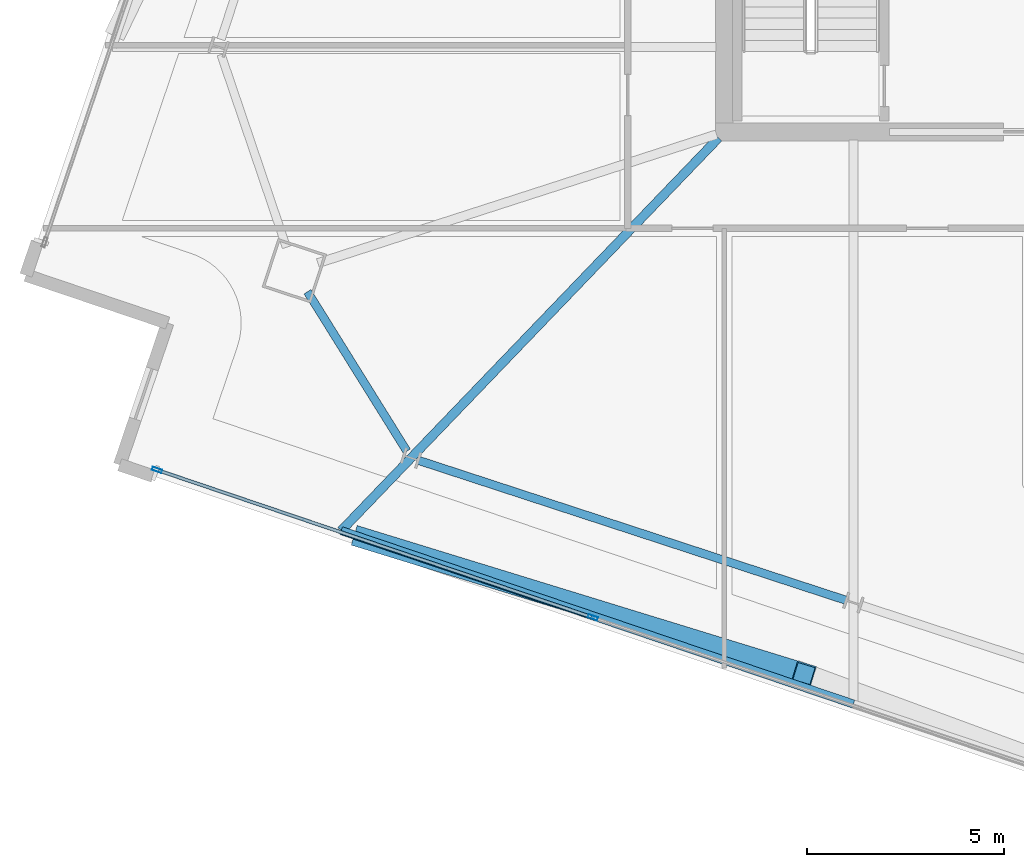
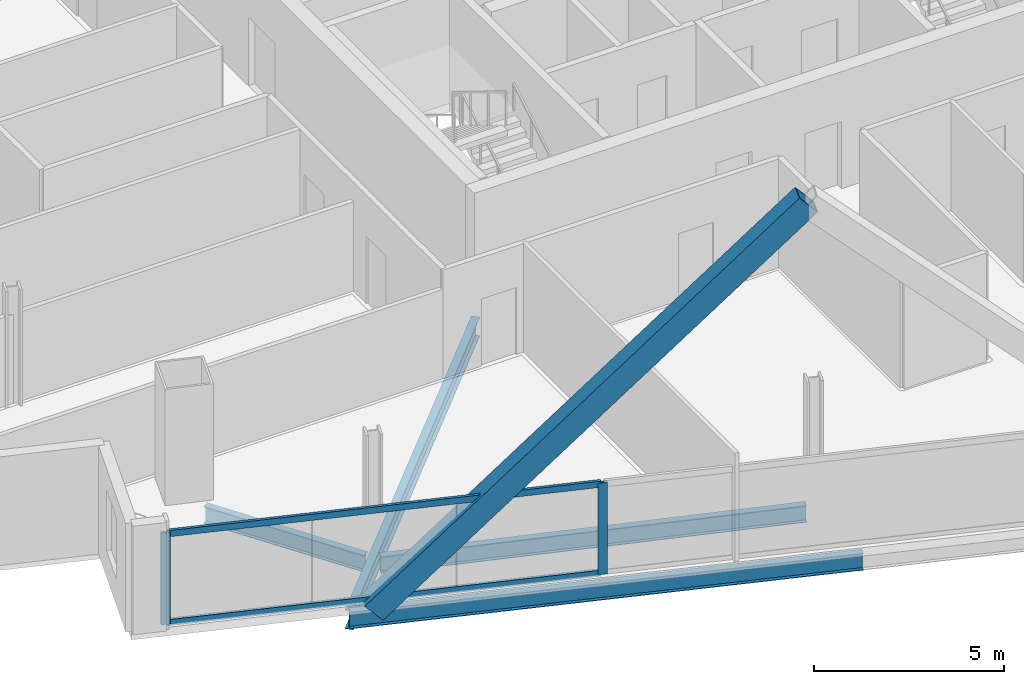
# One storey, part 2 of 29: 5 members, 4 beams, 1 element without a shape of its own.
"""IFC4 building model written with IfcOpenShell, lengths in metres."""

from ifc_helpers import new_model, si_unit, direction, frame, origin, origin_2d, place, context, subcontext, project, spatial, hollow_rectangle, i_section, extrude, material, material_profile, profile_set, type_object, element, aggregate, save


model = new_model("IFC4")

# Units and contexts
model_context = context("Model", 3, precision=1e-05, world=origin(), true_north=direction((0.0, 1.0)))
body_context = subcontext(model_context, "Body", "Model", "MODEL_VIEW")
ifc_project = project(units=[si_unit("LENGTHUNIT", "METRE"), si_unit("AREAUNIT", "SQUARE_METRE"), si_unit("VOLUMEUNIT", "CUBIC_METRE"), si_unit("PLANEANGLEUNIT", "RADIAN"), si_unit("MASSUNIT", "GRAM", prefix="KILO")], contexts=[model_context])

# Site, building, storey
site_placement = place(None, origin())
site = spatial("IfcSite", under=ifc_project, at=site_placement, CompositionType="ELEMENT")
building_placement = place(site_placement, origin())
building = spatial("IfcBuilding", under=site, at=building_placement, Name="Haldenkirk Collegiate Tower", CompositionType="ELEMENT")
storey_placement = place(building_placement, frame((0.0, 0.0, 267.449951171875)))
storey = spatial("IfcBuildingStorey", under=building, at=storey_placement, Name="L67", CompositionType="ELEMENT", Elevation=267.449951171875)

# Beams
ifc_material_1 = material(Name="Steel ASTM A992 Grade 50", Category="steel")
ifc_material_profile_1 = material_profile(ifc_material_1, i_section(OverallWidth=0.22998046875, OverallDepth=0.616943359375, WebThickness=0.01318359375, FlangeThickness=0.022216796875, at=origin_2d()), Name="W24X94")
ifc_profile_set_1 = profile_set([ifc_material_profile_1], Name="Steel ASTM A992 Grade 50")
beam_type_1 = type_object("IfcBeamType", Name="BM-GIRDER-W24X94", PredefinedType="BEAM", material=ifc_profile_set_1)
beam_1_placement = place(storey_placement, frame((17.267822265625, 7.86865234375, -0.578369140625), z_axis=(0.692749490113, 0.721178302466, 0.0), x_axis=(-0.721178302466, 0.692749490113, 0.0)))
element("IfcBeam", 1, at=beam_1_placement, inside=storey, type_object=beam_type_1, Name="L67 primary floor girder 14", PredefinedType="BEAM", context=body_context, shape_type="SweptSolid", body=[
    extrude(i_section(OverallWidth=0.22998046875, OverallDepth=0.616943359375, WebThickness=0.01318359375, FlangeThickness=0.022216796875, at=origin_2d()), origin(), (0.0, 0.0, 1.0), 13.843505859375),
])
ifc_material_profile_2 = material_profile(ifc_material_1, i_section(OverallWidth=0.2099609375, OverallDepth=0.537109375, WebThickness=0.010986328125, FlangeThickness=0.017333984375, at=origin_2d()), Name="W21X68")
ifc_profile_set_2 = profile_set([ifc_material_profile_2], Name="Steel ASTM A992 Grade 50")
beam_type_2 = type_object("IfcBeamType", Name="BM-SPANDREL-W21X68", PredefinedType="SPANDREL", material=ifc_profile_set_2)
beam_2_placement = place(storey_placement, frame((16.41064453125, 13.939697265625, -0.538330078125), z_axis=(0.528899826427, -0.848684260255, 0.0), x_axis=(0.848684260255, 0.528899826427, 0.0)))
element("IfcBeam", 2, at=beam_2_placement, inside=storey, type_object=beam_type_2, Name="L67 perimeter spandrel beam 13", PredefinedType="SPANDREL", context=body_context, shape_type="SweptSolid", body=[
    extrude(i_section(OverallWidth=0.2099609375, OverallDepth=0.537109375, WebThickness=0.010986328125, FlangeThickness=0.017333984375, at=origin_2d()), origin(), (0.0, 0.0, 1.0), 4.77392578125),
])
beam_3_placement = place(storey_placement, frame((19.235107421875, 9.6533203125, -0.538330078125), z_axis=(0.950408846531, -0.311003254701, 0.0), x_axis=(0.311003254701, 0.950408846531, 0.0)))
element("IfcBeam", 3, at=beam_3_placement, inside=storey, type_object=beam_type_2, Name="L67 perimeter spandrel beam 14", PredefinedType="SPANDREL", context=body_context, shape_type="SweptSolid", body=[
    extrude(i_section(OverallWidth=0.2099609375, OverallDepth=0.537109375, WebThickness=0.010986328125, FlangeThickness=0.017333984375, at=origin_2d()), origin(), (0.0, 0.0, 1.0), 11.421875),
])
beam_4_placement = place(storey_placement, frame((17.267822265625, 7.86865234375, -0.538330078125), z_axis=(0.947209079641, -0.320616530212, 0.0), x_axis=(0.320616530212, 0.947209079641, 0.0)))
element("IfcBeam", 4, at=beam_4_placement, inside=storey, type_object=beam_type_2, Name="L67 outer facade edge beam 4A", PredefinedType="SPANDREL", context=body_context, shape_type="SweptSolid", body=[
    extrude(i_section(OverallWidth=0.2099609375, OverallDepth=0.537109375, WebThickness=0.010986328125, FlangeThickness=0.017333984375, at=origin_2d()), origin(), (0.0, 0.0, 1.0), 13.74072265625),
])

# Curtain wall, members
ifc_material_2 = material(Name="Anodised architectural bronze aluminium", Category="aluminium")
curtain_wall_type = type_object("IfcCurtainWallType", Name="CW-SYS1B-CONVEX-HI", PredefinedType="USERDEFINED", material=ifc_material_2)
curtain_wall_placement = place(storey_placement, origin())
curtain_wall = element("IfcCurtainWall", 5, at=curtain_wall_placement, inside=storey, type_object=curtain_wall_type, Name="L67 Upper tower high-wind convex bronze unitised curtain wall", ObjectType="UNITISED CURTAIN WALL", PredefinedType="USERDEFINED")
ifc_material_profile_3 = material_profile(ifc_material_2, hollow_rectangle(XDim=0.0849609375, YDim=0.25, WallThickness=0.0048828125, at=origin_2d()), Name="CW-MUL-1B")
ifc_profile_set_3 = profile_set([ifc_material_profile_3], Name="Anodised architectural bronze aluminium")
member_type_1 = type_object("IfcMemberType", Name="CW-MUL-1B", PredefinedType="MULLION", material=ifc_profile_set_3)
member_1_placement = place(storey_placement, frame((23.661376953125, 5.662353515625, 0.0), z_axis=(0.0, 0.0, 1.0), x_axis=(-0.320611036427, -0.94721093919, 0.0)))
member_1 = element("IfcMember", 6, at=member_1_placement, type_object=member_type_1, Name="CW-1B mullion 3", PredefinedType="MULLION", context=body_context, shape_type="SweptSolid", body=[
    extrude(hollow_rectangle(XDim=0.0849609375, YDim=0.25, WallThickness=0.0048828125, at=origin_2d()), origin(), (0.0, 0.0, 1.0), 2.93798828125),
])
member_2_placement = place(storey_placement, frame((12.587646484375, 9.410400390625, 0.0), z_axis=(0.0, 0.0, 1.0), x_axis=(-0.320611036427, -0.94721093919, 0.0)))
member_2 = element("IfcMember", 7, at=member_2_placement, type_object=member_type_1, Name="CW-1B mullion 4", PredefinedType="MULLION", context=body_context, shape_type="SweptSolid", body=[
    extrude(hollow_rectangle(XDim=0.0849609375, YDim=0.25, WallThickness=0.0048828125, at=origin_2d()), origin(), (0.0, 0.0, 1.0), 2.93798828125),
])
ifc_material_profile_4 = material_profile(ifc_material_2, hollow_rectangle(XDim=0.0849609375, YDim=0.199951171875, WallThickness=0.0048828125, at=origin_2d()), Name="CW-TRN-1B")
ifc_profile_set_4 = profile_set([ifc_material_profile_4], Name="Anodised architectural bronze aluminium")
member_type_2 = type_object("IfcMemberType", Name="CW-TRN-1B", PredefinedType="USERDEFINED", material=ifc_profile_set_4)
member_3_placement = place(storey_placement, frame((23.62109375, 5.67578125, 0.04248046875), z_axis=(-0.947211153823, 0.320610402315, 0.0), x_axis=(-0.320610402315, -0.947211153823, 0.0)))
member_3 = element("IfcMember", 8, at=member_3_placement, type_object=member_type_2, Name="CW-1B transom 3.1", ObjectType="TRANSOM", PredefinedType="USERDEFINED", context=body_context, shape_type="SweptSolid", body=[
    extrude(hollow_rectangle(XDim=0.0849609375, YDim=0.199951171875, WallThickness=0.0048828125, at=origin_2d()), origin(), (0.0, 0.0, 1.0), 11.605712890625),
])
member_4_placement = place(storey_placement, frame((23.62109375, 5.67578125, 2.8955078125), z_axis=(-0.947211153823, 0.320610402315, 0.0), x_axis=(-0.320610402315, -0.947211153823, 0.0)))
member_4 = element("IfcMember", 9, at=member_4_placement, type_object=member_type_2, Name="CW-1B transom 3.2", ObjectType="TRANSOM", PredefinedType="USERDEFINED", context=body_context, shape_type="SweptSolid", body=[
    extrude(hollow_rectangle(XDim=0.0849609375, YDim=0.199951171875, WallThickness=0.0048828125, at=origin_2d()), origin(), (0.0, 0.0, 1.0), 11.605712890625),
])
aggregate(curtain_wall, [member_1, member_2, member_3, member_4])

# Member
ifc_material_3 = material(Name="Steel ASTM A572 Grade 50", Category="steel")
ifc_material_profile_5 = material_profile(ifc_material_3, hollow_rectangle(XDim=0.52001953125, YDim=0.719970703125, WallThickness=0.035888671875, at=origin_2d()), Name="BOX720X520X36")
ifc_profile_set_5 = profile_set([ifc_material_profile_5], Name="Steel ASTM A572 Grade 50")
member_type_3 = type_object("IfcMemberType", Name="MBR-MEGABRACE-BOX720X520X36", PredefinedType="BRACE", material=ifc_profile_set_5)
member_5_placement = place(storey_placement, frame((17.836181640625, 7.67626953125, -0.280029296875), z_axis=(0.68926814018, -0.211782940041, 0.692861759113), x_axis=(0.293706311641, 0.955895706917, 0.0)))
element("IfcMember", 10, at=member_5_placement, inside=storey, type_object=member_type_3, Name="Perimeter Mega Brace Z5 L67-L69 WL", PredefinedType="BRACE", context=body_context, shape_type="SweptSolid", body=[
    extrude(hollow_rectangle(XDim=0.52001953125, YDim=0.719970703125, WallThickness=0.035888671875, at=origin_2d()), origin(), (0.0, 0.0, 1.0), 16.237060546875),
])

save(model, "model.ifc")
